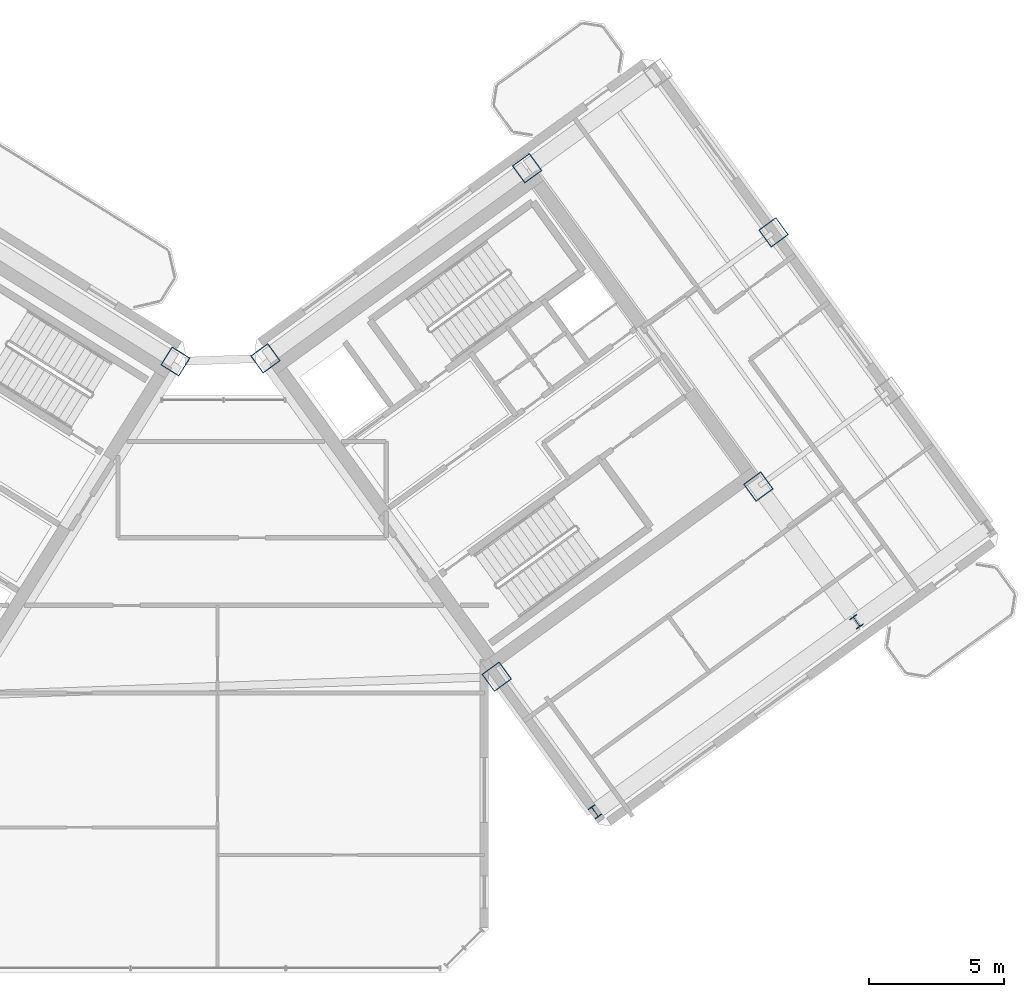
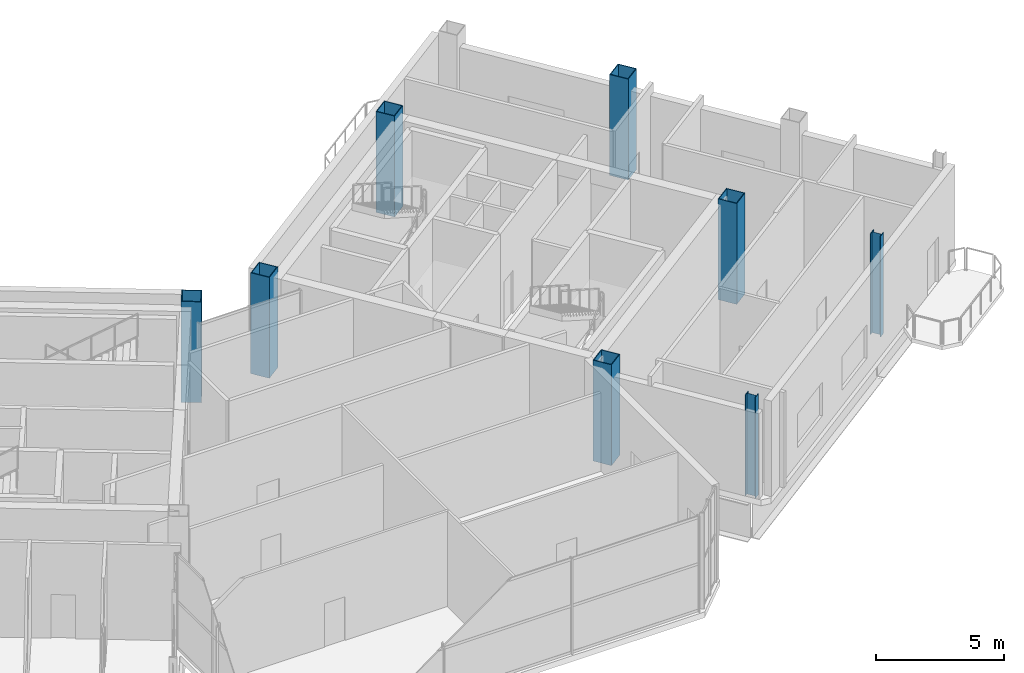
# One storey, part 2 of 26: 8 columns.
"""IFC4 building model written with IfcOpenShell, lengths in metres."""

from ifc_helpers import new_model, si_unit, direction, frame, origin, origin_2d, place, context, subcontext, project, spatial, hollow_rectangle, i_section, extrude, source, transform, mapped, material, material_profile, profile_set, type_object, element, save


model = new_model("IFC4")

# Units and contexts
model_context = context("Model", 3, precision=1e-05, world=origin(), true_north=direction((0.0, 1.0)))
body_context = subcontext(model_context, "Body", "Model", "MODEL_VIEW")
ifc_project = project(units=[si_unit("LENGTHUNIT", "METRE"), si_unit("AREAUNIT", "SQUARE_METRE"), si_unit("VOLUMEUNIT", "CUBIC_METRE"), si_unit("PLANEANGLEUNIT", "RADIAN"), si_unit("MASSUNIT", "GRAM", prefix="KILO")], contexts=[model_context])

# Site, building, storey
site_placement = place(None, origin())
site = spatial("IfcSite", under=ifc_project, at=site_placement, CompositionType="ELEMENT")
building_placement = place(site_placement, origin())
building = spatial("IfcBuilding", under=site, at=building_placement, Name="Tlacorven Tower", CompositionType="ELEMENT")
storey_placement = place(building_placement, frame((0.0, 0.0, 233.699951171875)))
storey = spatial("IfcBuildingStorey", under=building, at=storey_placement, Name="L59", CompositionType="ELEMENT", Elevation=233.699951171875)

# Columns
ifc_material_1 = material(Name="Steel S460M", Category="steel")
ifc_material_profile_1 = material_profile(ifc_material_1, hollow_rectangle(XDim=0.800048828125, YDim=0.800048828125, WallThickness=0.031982421875, at=origin_2d()), Name="BOX 800X800X32")
ifc_profile_set_1 = profile_set([ifc_material_profile_1], Name="Steel S460M")
column_type_1 = type_object("IfcColumnType", Name="COL-TWR-S3", PredefinedType="COLUMN", material=ifc_profile_set_1)
shared_shape_1 = source(origin(), body_context, "Body", "SweptSolid", [
    extrude(hollow_rectangle(XDim=0.800048828125, YDim=0.800048828125, WallThickness=0.031982421875, at=origin_2d()), origin(), (0.0, 0.0, 1.0), 4.800048828125),
])
for number, where, z_axis, x_axis, name in (
    (1, (40.782958984375, 24.468505859375, 0.0), (0.0, 0.0, 1.0), (-0.848048096156, 0.529919264233, 0.0), "L59 column COL-L59-W1-1"),
    (2, (52.705322265625, 12.7734375, 0.0), (0.0, 0.0, 1.0), (0.809016994375, 0.587785252292, 0.0), "L59 column COL-L59-E1-2"),
    (3, (44.123779296875, 24.5849609375, 0.0), (0.0, 0.0, 1.0), (0.809016994375, 0.587785252292, 0.0), "L59 column COL-L59-E1-4"),
    (4, (62.41357421875, 19.826904296875, 0.0), (0.0, 0.0, 1.0), (0.809016994375, 0.587785252292, 0.0), "L59 column COL-L59-E3-2"),
    (5, (53.83203125, 31.638427734375, 0.0), (0.0, 0.0, 1.0), (0.809016994375, 0.587785252292, 0.0), "L59 column COL-L59-E3-4"),
    (6, (62.976806640625, 29.25927734375, 0.0), (0.0, 0.0, 1.0), (0.809016994375, 0.587785252292, 0.0), "L59 column COL-L59-E4-3"),
):
    element("IfcColumn", number, at=place(storey_placement, frame(where, z_axis=z_axis, x_axis=x_axis)), inside=storey, type_object=column_type_1, Name=name, PredefinedType="COLUMN", context=body_context, shape_type="MappedRepresentation", body=[
        mapped(shared_shape_1, transform((0.0, 0.0, 0.0), scale=1.0)),
    ])
ifc_material_2 = material(Name="Steel S355J2", Category="steel")
ifc_material_profile_2 = material_profile(ifc_material_2, i_section(OverallWidth=0.300048828125, OverallDepth=0.449951171875, WebThickness=0.013916015625, FlangeThickness=0.02587890625, at=origin_2d()), Name="HEB 450")
ifc_profile_set_2 = profile_set([ifc_material_profile_2], Name="Steel S355J2")
column_type_2 = type_object("IfcColumnType", Name="COL-TWR-P3", PredefinedType="COLUMN", material=ifc_profile_set_2)
shared_shape_2 = source(origin(), body_context, "Body", "SweptSolid", [
    extrude(i_section(OverallWidth=0.300048828125, OverallDepth=0.449951171875, WebThickness=0.013916015625, FlangeThickness=0.02587890625, at=origin_2d()), origin(), (0.0, 0.0, 1.0), 4.800048828125),
])
for number, where, z_axis, x_axis, name in (
    (7, (56.349609375, 7.757568359375, 0.0), (0.0, 0.0, 1.0), (0.809016994375, 0.587785252292, 0.0), "L59 column COL-L59-E1-1"),
    (8, (66.057861328125, 14.81103515625, 0.0), (0.0, 0.0, 1.0), (0.809016994375, 0.587785252292, 0.0), "L59 column COL-L59-E3-1"),
):
    element("IfcColumn", number, at=place(storey_placement, frame(where, z_axis=z_axis, x_axis=x_axis)), inside=storey, type_object=column_type_2, Name=name, PredefinedType="COLUMN", context=body_context, shape_type="MappedRepresentation", body=[
        mapped(shared_shape_2, transform((0.0, 0.0, 0.0), scale=1.0)),
    ])

save(model, "model.ifc")
